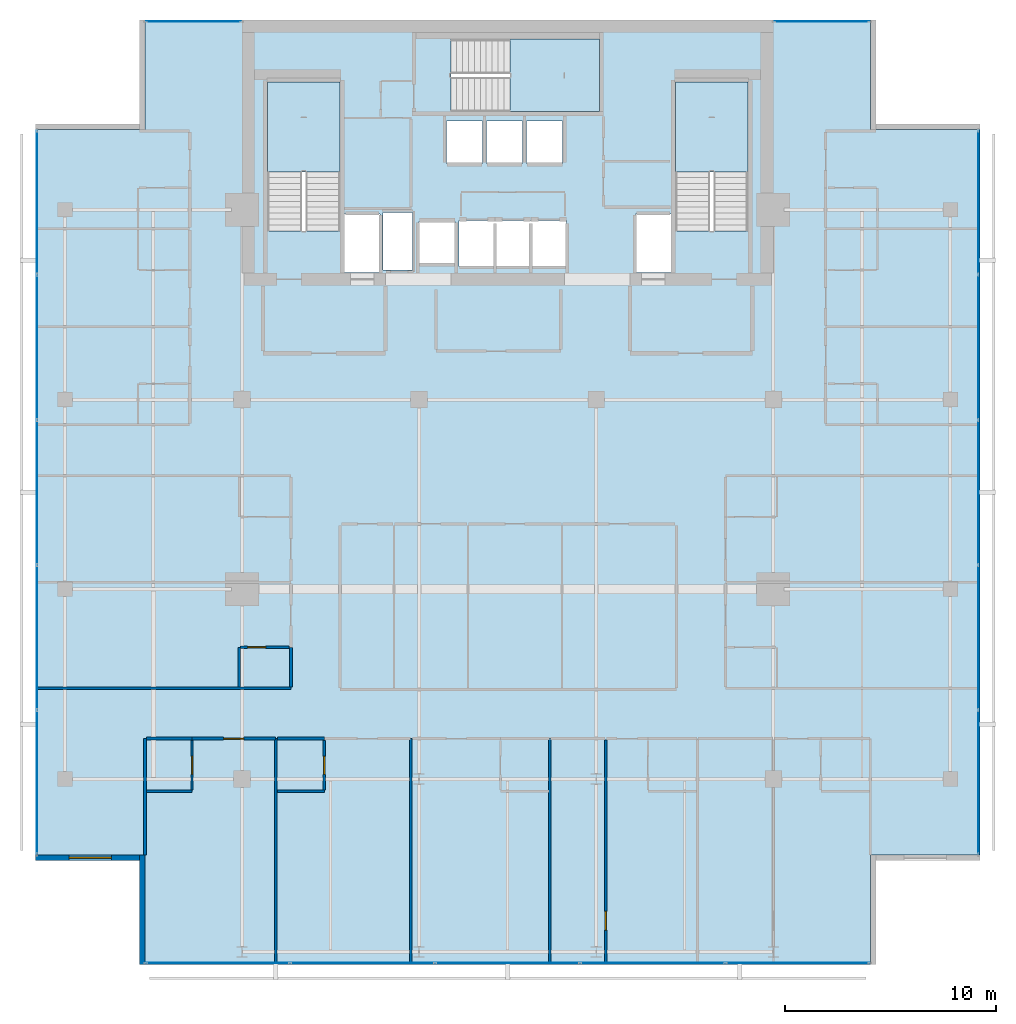
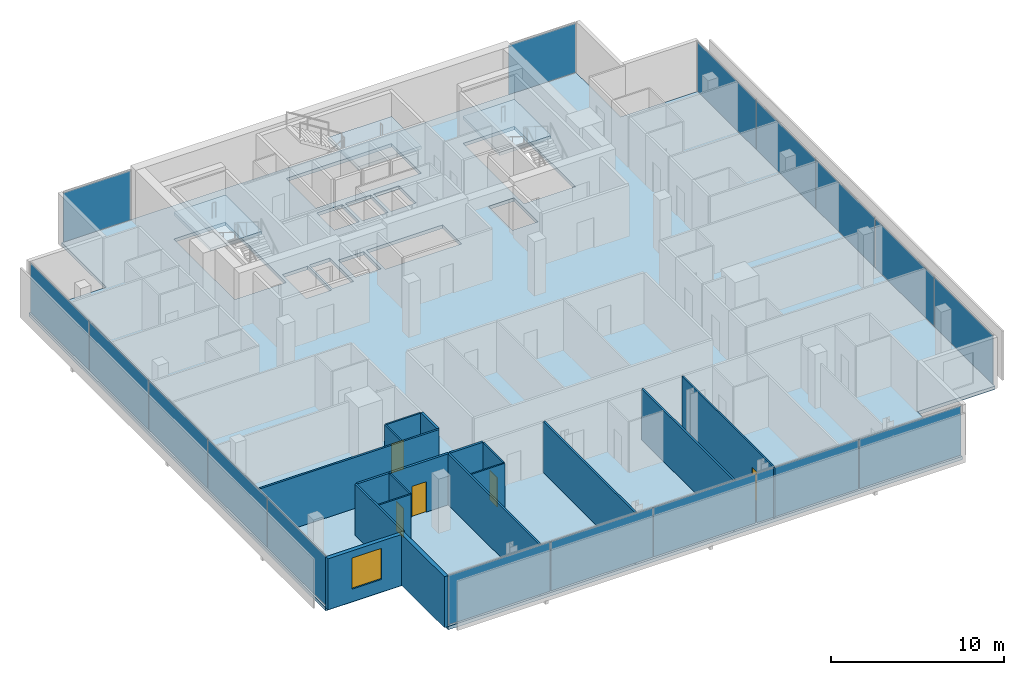
# One storey, part 19 of 26: 18 walls, 17 plates, 5 doors, 4 slabs, 1 window, 6 openings, 8 elements without a shape of their own.
"""IFC4 building model written with IfcOpenShell, lengths in metres."""

import ifcopenshell
import ifcopenshell.guid

model = None  # the IFC model being written
_history = None  # IfcOwnerHistory: only IFC2X3 demands one
_inside = {}  # id of a spatial element -> (the spatial element, [elements in it])
_under = {}  # id of a project, library or spatial element -> (it, [spatial elements below it])
_declared = {}  # id of a project -> (the project, [libraries it declares])
_typed = {}  # id of a type object -> (the type object, [elements of that type])
_made_of = {}  # id of a material, layer set ... -> (it, [elements and type objects made of it])


def new_model(schema):
    """Start an empty IFC model of exactly this schema.

    Asked for "IFC4X3", IfcOpenShell would pick the latest addendum, in which some entities
    have other attributes; the version numbers below select the first issue.
    IFC2X3 requires an IfcOwnerHistory on every rooted entity: one is made here for all.
    """
    global model, _history
    if schema == "IFC4X3":
        model = ifcopenshell.file(schema_version=(4, 3, 0, 0))
    else:
        model = ifcopenshell.file(schema=schema)
    _inside.clear()
    _under.clear()
    _declared.clear()
    _typed.clear()
    _made_of.clear()
    _history = None
    if model.schema == "IFC2X3":
        org = make("IfcOrganization", Name="unknown")
        user = make(
            "IfcPersonAndOrganization",
            ThePerson=make("IfcPerson", FamilyName="unknown"),
            TheOrganization=org,
        )
        app = make(
            "IfcApplication",
            ApplicationDeveloper=org,
            Version="unknown",
            ApplicationFullName="unknown",
            ApplicationIdentifier="unknown",
        )
        _history = make(
            "IfcOwnerHistory",
            OwningUser=user,
            OwningApplication=app,
            ChangeAction="ADDED",
            CreationDate=0,
        )
    return model


def make(cls, **values):
    """One entity of the class cls with the attributes given. An attribute that is None is left unset."""
    return model.create_entity(
        cls, **{name: value for name, value in values.items() if value is not None}
    )


def rooted(cls, **values):
    """An entity with a GlobalId (a new one), such as an element, a storey or a relation."""
    return make(cls, GlobalId=ifcopenshell.guid.new(), OwnerHistory=_history, **values)


def si_unit(unit_type, name, prefix=None):
    """IfcSIUnit, for example si_unit("LENGTHUNIT", "METRE", prefix="MILLI")."""
    return make("IfcSIUnit", UnitType=unit_type, Prefix=prefix, Name=name)


def assignment(units):
    """IfcUnitAssignment: the units of a project."""
    return None if units is None else make("IfcUnitAssignment", Units=units)


def point(xyz):
    """IfcCartesianPoint."""
    return None if xyz is None else make("IfcCartesianPoint", Coordinates=xyz)


def direction(xyz):
    """IfcDirection."""
    return None if xyz is None else make("IfcDirection", DirectionRatios=xyz)


def frame(location, z_axis=None, x_axis=None):
    """IfcAxis2Placement3D, a coordinate frame: its origin and axes. An axis left out is left unset."""
    return make(
        "IfcAxis2Placement3D",
        Location=point(location),
        Axis=direction(z_axis),
        RefDirection=direction(x_axis),
    )


def frame_2d(location, x_axis=None):
    """IfcAxis2Placement2D, a coordinate frame in the plane: its origin and x axis."""
    return make(
        "IfcAxis2Placement2D", Location=point(location), RefDirection=direction(x_axis)
    )


def origin():
    """The frame at (0, 0, 0) with its axes left unset."""
    return frame((0.0, 0.0, 0.0))


def origin_2d():
    """The frame at (0, 0) in the plane with its x axis left unset."""
    return frame_2d((0.0, 0.0))


def place(relative_to, where):
    """IfcLocalPlacement: puts the frame where relative to a parent placement (None: the world)."""
    return make(
        "IfcLocalPlacement", PlacementRelTo=relative_to, RelativePlacement=where
    )


def context(
    kind, dimensions, precision=None, world=None, true_north=None, identifier=None
):
    """IfcGeometricRepresentationContext, for example the 3D "Model" context."""
    return make(
        "IfcGeometricRepresentationContext",
        ContextIdentifier=identifier,
        ContextType=kind,
        CoordinateSpaceDimension=dimensions,
        Precision=precision,
        WorldCoordinateSystem=world,
        TrueNorth=true_north,
    )


def subcontext(parent, identifier, kind, view, scale=None):
    """IfcGeometricRepresentationSubContext, for example "Body" below "Model"."""
    return make(
        "IfcGeometricRepresentationSubContext",
        ContextIdentifier=identifier,
        ContextType=kind,
        ParentContext=parent,
        TargetScale=scale,
        TargetView=view,
    )


def project(units=None, contexts=None):
    """IfcProject with its units and contexts."""
    return rooted(
        "IfcProject",
        Name="project",
        RepresentationContexts=contexts,
        UnitsInContext=assignment(units),
    )


def spatial(cls, under=None, at=None, **own):
    """A site, building, storey or space (cls), placed at a placement, below another one or the project."""
    s = rooted(cls, ObjectPlacement=at, **own)
    if under is not None:
        _under.setdefault(under.id(), (under, []))[1].append(s)
    return s


def polyline(points):
    """IfcPolyline through the points."""
    return make("IfcPolyline", Points=[point(p) for p in points])


def profile(cls, at=None, kind="AREA", **sizes):
    """A parametric profile (cls). Its sizes go by their IFC names, for example OverallWidth=200.0."""
    return make(cls, ProfileType=kind, Position=at, **sizes)


def rectangle(**sizes):
    """IfcRectangleProfileDef."""
    return profile("IfcRectangleProfileDef", **sizes)


def outline(outer, holes=None, kind="AREA"):
    """IfcArbitraryClosedProfileDef: a profile drawn as a closed curve; with holes, ...WithVoids."""
    if holes is None:
        return make("IfcArbitraryClosedProfileDef", ProfileType=kind, OuterCurve=outer)
    return make(
        "IfcArbitraryProfileDefWithVoids",
        ProfileType=kind,
        OuterCurve=outer,
        InnerCurves=holes,
    )


def extrude(swept, where, along, depth):
    """IfcExtrudedAreaSolid: the profile swept, set in the frame where, extruded along a direction by depth."""
    return make(
        "IfcExtrudedAreaSolid",
        SweptArea=swept,
        Position=where,
        ExtrudedDirection=direction(along),
        Depth=depth,
    )


def shape(context_of_items, identifier, shape_type, items):
    """IfcShapeRepresentation: the items that make up one representation, for example the "Body"."""
    return make(
        "IfcShapeRepresentation",
        ContextOfItems=context_of_items,
        RepresentationIdentifier=identifier,
        RepresentationType=shape_type,
        Items=items,
    )


def material(Name=None, Category=None):
    """IfcMaterial."""
    return make("IfcMaterial", Name=Name, Category=Category)


def layer(
    of_material, thickness, ventilated=None, Name=None, Category=None, Priority=None
):
    """IfcMaterialLayer: one layer of a wall or slab, of a material (None: an air gap)."""
    return make(
        "IfcMaterialLayer",
        Material=of_material,
        LayerThickness=thickness,
        IsVentilated=ventilated,
        Name=Name,
        Category=Category,
        Priority=Priority,
    )


def layer_set(layers, Name=None):
    """IfcMaterialLayerSet."""
    return make("IfcMaterialLayerSet", MaterialLayers=layers, LayerSetName=Name)


def made_of(thing, what):
    """Note that an element or type object is made of a material, layer set ...; save() writes the relation."""
    if what is not None:
        _made_of.setdefault(what.id(), (what, []))[1].append(thing)
    return thing


def type_object(cls, material=None, **own):
    """A type object (cls), such as IfcWallType, which elements share."""
    return made_of(rooted(cls, **own), material)


def element(
    cls,
    number,
    at=None,
    inside=None,
    cuts=None,
    type_object=None,
    material=None,
    context=None,
    identifier="Body",
    shape_type=None,
    held_by="IfcProductDefinitionShape",
    body=None,
    shapes=None,
    **own,
):
    """One element of the class cls, such as IfcWall. Its Tag is "e" and its number.

    at: its placement. inside: the storey or other place that contains it. cuts: it is an
    opening in that element (IfcRelVoidsElement). A single representation is given by context,
    identifier, shape_type and body (its items); several are given by shapes. held_by: the class
    of the entity that holds the representations. save() writes the other relations.
    """
    e = rooted(cls, Tag="e%d" % number, ObjectPlacement=at, **own)
    if body is not None:
        shapes = [shape(context, identifier, shape_type, body)]
    if shapes is not None:
        e.Representation = make(held_by, Representations=shapes)
    if inside is not None:
        _inside.setdefault(inside.id(), (inside, []))[1].append(e)
    if cuts is not None:
        rooted(
            "IfcRelVoidsElement", RelatingBuildingElement=cuts, RelatedOpeningElement=e
        )
    if type_object is not None:
        _typed.setdefault(type_object.id(), (type_object, []))[1].append(e)
    return made_of(e, material)


def fill(opening, filler):
    """IfcRelFillsElement: the door or window that sits in an opening."""
    return rooted(
        "IfcRelFillsElement",
        RelatingOpeningElement=opening,
        RelatedBuildingElement=filler,
    )


def aggregate(whole, parts):
    """IfcRelAggregates: a whole, such as a stair, and the parts it consists of."""
    return rooted("IfcRelAggregates", RelatingObject=whole, RelatedObjects=parts)


def save(model, path):
    """Write the relations noted so far, then the file.

    IfcRelAggregates (storeys below a building ...), IfcRelContainedInSpatialStructure (elements
    in a storey), IfcRelDefinesByType, IfcRelAssociatesMaterial and IfcRelDeclares: one each for
    every whole, place, type object, material and project.
    """
    for whole, parts in _under.values():
        aggregate(whole, parts)
    for where, things in _inside.values():
        rooted(
            "IfcRelContainedInSpatialStructure",
            RelatedElements=things,
            RelatingStructure=where,
        )
    for kind, things in _typed.values():
        rooted("IfcRelDefinesByType", RelatedObjects=things, RelatingType=kind)
    for what, things in _made_of.values():
        rooted("IfcRelAssociatesMaterial", RelatedObjects=things, RelatingMaterial=what)
    for by, libraries in _declared.values():
        rooted("IfcRelDeclares", RelatingContext=by, RelatedDefinitions=libraries)
    model.write(path)


model = new_model("IFC4")

# Units and contexts
model_context = context("Model", 3, precision=1e-05, world=origin(), true_north=direction((0.0, 1.0)))
body_context = subcontext(model_context, "Body", "Model", "MODEL_VIEW")
ifc_project = project(units=[si_unit("LENGTHUNIT", "METRE"), si_unit("AREAUNIT", "SQUARE_METRE"), si_unit("VOLUMEUNIT", "CUBIC_METRE"), si_unit("PLANEANGLEUNIT", "RADIAN"), si_unit("MASSUNIT", "GRAM", prefix="KILO")], contexts=[model_context])

# Site, building, storey
site_placement = place(None, origin())
site = spatial("IfcSite", under=ifc_project, at=site_placement, CompositionType="ELEMENT")
building_placement = place(site_placement, origin())
building = spatial("IfcBuilding", under=site, at=building_placement, Name="Maruvema Waterfront Hotel and Observation Tower", CompositionType="ELEMENT")
storey_placement = place(building_placement, frame((0.0, 0.0, 293.300048828125)))
storey = spatial("IfcBuildingStorey", under=building, at=storey_placement, Name="L72", CompositionType="ELEMENT", Elevation=293.300048828125)

# Slab
ifc_material_1 = material(Name="Concrete C50/60", Category="concrete")
ifc_layer_1 = layer(ifc_material_1, 0.239990234375, Name="Reinforced Concrete Floor Slab 240 mm")
ifc_layer_set_1 = layer_set([ifc_layer_1], Name="Concrete C50/60")
slab_type_1 = type_object("IfcSlabType", Name="Reinforced Concrete Floor Slab 240 mm", PredefinedType="FLOOR", material=ifc_layer_set_1)
slab_1_placement = place(storey_placement, frame((0.0, 0.0, -0.239990234375)))
element("IfcSlab", 1, at=slab_1_placement, inside=storey, type_object=slab_type_1, Name="L72 Structural Floor Slab", PredefinedType="FLOOR", context=body_context, shape_type="SweptSolid", body=[
    extrude(outline(polyline([(20.60009765625, 9.199951171875), (55.0, 9.199951171875), (55.0, 14.39990234375), (60.199951171875, 14.39990234375), (60.199951171875, 48.800048828125), (55.0, 48.800048828125), (55.0, 54.0), (20.60009765625, 54.0), (20.60009765625, 48.800048828125), (15.39990234375, 48.800048828125), (15.39990234375, 14.39990234375), (20.60009765625, 14.39990234375), (20.60009765625, 9.199951171875)]), holes=[polyline([(26.39990234375, 44.00048828125), (26.39990234375, 51.050048828125), (29.85009765625, 51.050048828125), (29.85009765625, 44.00048828125), (26.39990234375, 44.00048828125)]), polyline([(30.050048828125, 44.800048828125), (31.75, 44.800048828125), (31.75, 42.02001953125), (30.050048828125, 42.02001953125), (30.050048828125, 44.800048828125)]), polyline([(31.8798828125, 42.139892578125), (31.8798828125, 44.860107421875), (33.280029296875, 44.860107421875), (33.280029296875, 42.139892578125), (31.8798828125, 42.139892578125)]), polyline([(33.60009765625, 44.449951171875), (35.300048828125, 44.449951171875), (35.300048828125, 42.449951171875), (33.60009765625, 42.449951171875), (33.60009765625, 44.449951171875)]), polyline([(34.89990234375, 49.199951171875), (36.60009765625, 49.199951171875), (36.60009765625, 47.199951171875), (34.89990234375, 47.199951171875), (34.89990234375, 49.199951171875)]), polyline([(36.800048828125, 47.199951171875), (36.800048828125, 49.199951171875), (38.5, 49.199951171875), (38.5, 47.199951171875), (36.800048828125, 47.199951171875)]), polyline([(35.5, 42.300048828125), (35.5, 44.5), (40.60009765625, 44.5), (40.60009765625, 42.300048828125), (35.5, 42.300048828125)]), polyline([(35.1005859375, 53.10009765625), (42.14990234375, 53.10009765625), (42.14990234375, 49.64990234375), (35.1005859375, 49.64990234375), (35.1005859375, 53.10009765625)]), polyline([(38.699951171875, 49.199951171875), (40.39990234375, 49.199951171875), (40.39990234375, 47.199951171875), (38.699951171875, 47.199951171875), (38.699951171875, 49.199951171875)]), polyline([(43.85009765625, 44.800048828125), (45.550048828125, 44.800048828125), (45.550048828125, 42.02001953125), (43.85009765625, 42.02001953125), (43.85009765625, 44.800048828125)]), polyline([(45.75, 44.00048828125), (45.75, 51.050048828125), (49.199951171875, 51.050048828125), (49.199951171875, 44.00048828125), (45.75, 44.00048828125)])]), origin(), (0.0, 0.0, 1.0), 0.239990234375),
])

# Curtain wall, plates
ifc_material_2 = material(Name="Anodised bronze aluminium and solar-control low-E IGU", Category="aluminium")
ifc_layer_2 = layer(ifc_material_2, 0.159912109375, Name="Zone 3 Champagne Inner Thermal Curtain Wall System CW-04")
ifc_layer_set_2 = layer_set([ifc_layer_2], Name="Anodised bronze aluminium and solar-control low-E IGU")
curtain_wall_type = type_object("IfcCurtainWallType", Name="Zone 3 Champagne Inner Thermal Curtain Wall System CW-04", PredefinedType="USERDEFINED", material=ifc_layer_set_2)
curtain_wall_1_placement = place(storey_placement, origin())
curtain_wall_1 = element("IfcCurtainWall", 2, at=curtain_wall_1_placement, inside=storey, type_object=curtain_wall_type, Name="L72 Curtain Wall CW-L72-S", ObjectType="UNITISED CURTAIN WALL", PredefinedType="USERDEFINED")
ifc_material_3 = material(Name="Laminated low-E solar-control double glazing", Category="glass")
ifc_layer_3 = layer(ifc_material_3, 0.035888671875, Name="Solar Control Double-Glazed Curtain Panel 36 mm")
ifc_layer_set_3 = layer_set([ifc_layer_3], Name="Laminated low-E solar-control double glazing")
plate_type = type_object("IfcPlateType", Name="Solar Control Double-Glazed Curtain Panel 36 mm", PredefinedType="CURTAIN_PANEL", material=ifc_layer_set_3)
plate_1_placement = place(storey_placement, frame((24.054931640625, 9.280029296875, 0.06005859375), z_axis=(0.0, 0.0, 1.0), x_axis=(1.0, 0.0, 0.0)))
plate_1 = element("IfcPlate", 3, at=plate_1_placement, type_object=plate_type, Name="CW-04 panel 1.1", PredefinedType="CURTAIN_PANEL", context=body_context, shape_type="SweptSolid", body=[
    extrude(rectangle(XDim=6.7900390625, YDim=0.028076171875, at=origin_2d()), origin(), (0.0, 0.0, 1.0), 3.489990234375),
])
plate_2_placement = place(storey_placement, frame((30.919921875, 9.280029296875, 0.06005859375), z_axis=(0.0, 0.0, 1.0), x_axis=(1.0, 0.0, 0.0)))
plate_2 = element("IfcPlate", 4, at=plate_2_placement, type_object=plate_type, Name="CW-04 panel 2.1", PredefinedType="CURTAIN_PANEL", context=body_context, shape_type="SweptSolid", body=[
    extrude(rectangle(XDim=6.820068359375, YDim=0.028076171875, at=origin_2d()), origin(), (0.0, 0.0, 1.0), 3.489990234375),
])
plate_3_placement = place(storey_placement, frame((37.800048828125, 9.280029296875, 0.06005859375), z_axis=(0.0, 0.0, 1.0), x_axis=(1.0, 0.0, 0.0)))
plate_3 = element("IfcPlate", 5, at=plate_3_placement, type_object=plate_type, Name="CW-04 panel 3.1", PredefinedType="CURTAIN_PANEL", context=body_context, shape_type="SweptSolid", body=[
    extrude(rectangle(XDim=6.820068359375, YDim=0.028076171875, at=origin_2d()), origin(), (0.0, 0.0, 1.0), 3.489990234375),
])
plate_4_placement = place(storey_placement, frame((44.679931640625, 9.280029296875, 0.06005859375), z_axis=(0.0, 0.0, 1.0), x_axis=(1.0, 0.0, 0.0)))
plate_4 = element("IfcPlate", 6, at=plate_4_placement, type_object=plate_type, Name="CW-04 panel 4.1", PredefinedType="CURTAIN_PANEL", context=body_context, shape_type="SweptSolid", body=[
    extrude(rectangle(XDim=6.820068359375, YDim=0.028076171875, at=origin_2d()), origin(), (0.0, 0.0, 1.0), 3.489990234375),
])
plate_5_placement = place(storey_placement, frame((51.544921875, 9.280029296875, 0.06005859375), z_axis=(0.0, 0.0, 1.0), x_axis=(1.0, 0.0, 0.0)))
plate_5 = element("IfcPlate", 7, at=plate_5_placement, type_object=plate_type, Name="CW-04 panel 5.1", PredefinedType="CURTAIN_PANEL", context=body_context, shape_type="SweptSolid", body=[
    extrude(rectangle(XDim=6.7900390625, YDim=0.028076171875, at=origin_2d()), origin(), (0.0, 0.0, 1.0), 3.489990234375),
])
aggregate(curtain_wall_1, [plate_1, plate_2, plate_3, plate_4, plate_5])

curtain_wall_2_placement = place(storey_placement, origin())
curtain_wall_2 = element("IfcCurtainWall", 8, at=curtain_wall_2_placement, inside=storey, type_object=curtain_wall_type, Name="L72 Curtain Wall CW-L72-E", ObjectType="UNITISED CURTAIN WALL", PredefinedType="USERDEFINED")
plate_6_placement = place(storey_placement, frame((60.1201171875, 17.85498046875, 0.06005859375), z_axis=(0.0, 0.0, 1.0), x_axis=(0.0, 1.0, 0.0)))
plate_6 = element("IfcPlate", 9, at=plate_6_placement, type_object=plate_type, Name="CW-04 panel 1.1", PredefinedType="CURTAIN_PANEL", context=body_context, shape_type="SweptSolid", body=[
    extrude(rectangle(XDim=6.7900390625, YDim=0.028076171875, at=origin_2d()), origin(), (0.0, 0.0, 1.0), 3.489990234375),
])
plate_7_placement = place(storey_placement, frame((60.1201171875, 24.719970703125, 0.06005859375), z_axis=(0.0, 0.0, 1.0), x_axis=(0.0, 1.0, 0.0)))
plate_7 = element("IfcPlate", 10, at=plate_7_placement, type_object=plate_type, Name="CW-04 panel 2.1", PredefinedType="CURTAIN_PANEL", context=body_context, shape_type="SweptSolid", body=[
    extrude(rectangle(XDim=6.820068359375, YDim=0.028076171875, at=origin_2d()), origin(), (0.0, 0.0, 1.0), 3.489990234375),
])
plate_8_placement = place(storey_placement, frame((60.1201171875, 31.60009765625, 0.06005859375), z_axis=(0.0, 0.0, 1.0), x_axis=(0.0, 1.0, 0.0)))
plate_8 = element("IfcPlate", 11, at=plate_8_placement, type_object=plate_type, Name="CW-04 panel 3.1", PredefinedType="CURTAIN_PANEL", context=body_context, shape_type="SweptSolid", body=[
    extrude(rectangle(XDim=6.820068359375, YDim=0.028076171875, at=origin_2d()), origin(), (0.0, 0.0, 1.0), 3.489990234375),
])
plate_9_placement = place(storey_placement, frame((60.1201171875, 38.47998046875, 0.06005859375), z_axis=(0.0, 0.0, 1.0), x_axis=(0.0, 1.0, 0.0)))
plate_9 = element("IfcPlate", 12, at=plate_9_placement, type_object=plate_type, Name="CW-04 panel 4.1", PredefinedType="CURTAIN_PANEL", context=body_context, shape_type="SweptSolid", body=[
    extrude(rectangle(XDim=6.820068359375, YDim=0.028076171875, at=origin_2d()), origin(), (0.0, 0.0, 1.0), 3.489990234375),
])
plate_10_placement = place(storey_placement, frame((60.1201171875, 45.344970703125, 0.06005859375), z_axis=(0.0, 0.0, 1.0), x_axis=(0.0, 1.0, 0.0)))
plate_10 = element("IfcPlate", 13, at=plate_10_placement, type_object=plate_type, Name="CW-04 panel 5.1", PredefinedType="CURTAIN_PANEL", context=body_context, shape_type="SweptSolid", body=[
    extrude(rectangle(XDim=6.7900390625, YDim=0.028076171875, at=origin_2d()), origin(), (0.0, 0.0, 1.0), 3.489990234375),
])
aggregate(curtain_wall_2, [plate_6, plate_7, plate_8, plate_9, plate_10])

curtain_wall_3_placement = place(storey_placement, origin())
curtain_wall_3 = element("IfcCurtainWall", 14, at=curtain_wall_3_placement, inside=storey, type_object=curtain_wall_type, Name="L72 Curtain Wall CW-L72-W", ObjectType="UNITISED CURTAIN WALL", PredefinedType="USERDEFINED")
plate_11_placement = place(storey_placement, frame((15.47998046875, 45.344970703125, 0.06005859375), z_axis=(0.0, 0.0, 1.0), x_axis=(0.0, -1.0, 0.0)))
plate_11 = element("IfcPlate", 15, at=plate_11_placement, type_object=plate_type, Name="CW-04 panel 1.1", PredefinedType="CURTAIN_PANEL", context=body_context, shape_type="SweptSolid", body=[
    extrude(rectangle(XDim=6.7900390625, YDim=0.028076171875, at=origin_2d()), origin(), (0.0, 0.0, 1.0), 3.489990234375),
])
plate_12_placement = place(storey_placement, frame((15.47998046875, 38.47998046875, 0.06005859375), z_axis=(0.0, 0.0, 1.0), x_axis=(0.0, -1.0, 0.0)))
plate_12 = element("IfcPlate", 16, at=plate_12_placement, type_object=plate_type, Name="CW-04 panel 2.1", PredefinedType="CURTAIN_PANEL", context=body_context, shape_type="SweptSolid", body=[
    extrude(rectangle(XDim=6.820068359375, YDim=0.028076171875, at=origin_2d()), origin(), (0.0, 0.0, 1.0), 3.489990234375),
])
plate_13_placement = place(storey_placement, frame((15.47998046875, 31.60009765625, 0.06005859375), z_axis=(0.0, 0.0, 1.0), x_axis=(0.0, -1.0, 0.0)))
plate_13 = element("IfcPlate", 17, at=plate_13_placement, type_object=plate_type, Name="CW-04 panel 3.1", PredefinedType="CURTAIN_PANEL", context=body_context, shape_type="SweptSolid", body=[
    extrude(rectangle(XDim=6.820068359375, YDim=0.028076171875, at=origin_2d()), origin(), (0.0, 0.0, 1.0), 3.489990234375),
])
plate_14_placement = place(storey_placement, frame((15.47998046875, 24.719970703125, 0.06005859375), z_axis=(0.0, 0.0, 1.0), x_axis=(0.0, -1.0, 0.0)))
plate_14 = element("IfcPlate", 18, at=plate_14_placement, type_object=plate_type, Name="CW-04 panel 4.1", PredefinedType="CURTAIN_PANEL", context=body_context, shape_type="SweptSolid", body=[
    extrude(rectangle(XDim=6.820068359375, YDim=0.028076171875, at=origin_2d()), origin(), (0.0, 0.0, 1.0), 3.489990234375),
])
plate_15_placement = place(storey_placement, frame((15.47998046875, 17.85498046875, 0.06005859375), z_axis=(0.0, 0.0, 1.0), x_axis=(0.0, -1.0, 0.0)))
plate_15 = element("IfcPlate", 19, at=plate_15_placement, type_object=plate_type, Name="CW-04 panel 5.1", PredefinedType="CURTAIN_PANEL", context=body_context, shape_type="SweptSolid", body=[
    extrude(rectangle(XDim=6.7900390625, YDim=0.028076171875, at=origin_2d()), origin(), (0.0, 0.0, 1.0), 3.489990234375),
])
aggregate(curtain_wall_3, [plate_11, plate_12, plate_13, plate_14, plate_15])

# Curtain wall, plate
curtain_wall_4_placement = place(storey_placement, origin())
curtain_wall_4 = element("IfcCurtainWall", 20, at=curtain_wall_4_placement, inside=storey, type_object=curtain_wall_type, Name="L72 Curtain Wall CW-L72-NW", ObjectType="UNITISED CURTAIN WALL", PredefinedType="USERDEFINED")
plate_16_placement = place(storey_placement, frame((22.89990234375, 53.919921875, 0.06005859375), z_axis=(0.0, 0.0, 1.0), x_axis=(-1.0, 0.0, 0.0)))
plate_16 = element("IfcPlate", 21, at=plate_16_placement, type_object=plate_type, Name="CW-04 panel 1.1", PredefinedType="CURTAIN_PANEL", context=body_context, shape_type="SweptSolid", body=[
    extrude(rectangle(XDim=4.47998046875, YDim=0.028076171875, at=origin_2d()), origin(), (0.0, 0.0, 1.0), 3.489990234375),
])
aggregate(curtain_wall_4, [plate_16])

curtain_wall_5_placement = place(storey_placement, origin())
curtain_wall_5 = element("IfcCurtainWall", 22, at=curtain_wall_5_placement, inside=storey, type_object=curtain_wall_type, Name="L72 Curtain Wall CW-L72-NE", ObjectType="UNITISED CURTAIN WALL", PredefinedType="USERDEFINED")
plate_17_placement = place(storey_placement, frame((52.699951171875, 53.919921875, 0.06005859375), z_axis=(0.0, 0.0, 1.0), x_axis=(-1.0, 0.0, 0.0)))
plate_17 = element("IfcPlate", 23, at=plate_17_placement, type_object=plate_type, Name="CW-04 panel 1.1", PredefinedType="CURTAIN_PANEL", context=body_context, shape_type="SweptSolid", body=[
    extrude(rectangle(XDim=4.47998046875, YDim=0.028076171875, at=origin_2d()), origin(), (0.0, 0.0, 1.0), 3.489990234375),
])
aggregate(curtain_wall_5, [plate_17])

# Stair, slab
ifc_material_4 = material(Name="Concrete C50/60", Category="concrete")
stair_type = type_object("IfcStairType", Name="Dogleg Exit Stair 1650 mm (22R x 175.0 mm)", PredefinedType="HALF_TURN_STAIR", material=ifc_material_4)
stair_1_placement = place(storey_placement, origin())
stair_1 = element("IfcStair", 24, at=stair_1_placement, inside=storey, type_object=stair_type, Name="L72 ST-01", PredefinedType="HALF_TURN_STAIR")
ifc_material_5 = material(Name="Concrete C50/60", Category="concrete")
ifc_layer_4 = layer(ifc_material_5, 0.219970703125, Name="Stair Concrete Landing Slab 220 mm")
ifc_layer_set_4 = layer_set([ifc_layer_4], Name="Concrete C50/60")
slab_type_2 = type_object("IfcSlabType", Name="Stair Concrete Landing Slab 220 mm", PredefinedType="LANDING", material=ifc_layer_set_4)
slab_2_placement = place(storey_placement, frame((0.0, 0.0, 1.704833984375)))
slab_2 = element("IfcSlab", 25, at=slab_2_placement, type_object=slab_type_2, Name="ST-01 landing 1", PredefinedType="LANDING", context=body_context, shape_type="SweptSolid", body=[
    extrude(outline(polyline([(29.85009765625, 46.800048828125), (29.85009765625, 51.050048828125), (26.39990234375, 51.050048828125), (26.39990234375, 46.800048828125), (29.85009765625, 46.800048828125)])), origin(), (0.0, 0.0, 1.0), 0.22021484375),
])
aggregate(stair_1, [slab_2])

stair_2_placement = place(storey_placement, origin())
stair_2 = element("IfcStair", 26, at=stair_2_placement, inside=storey, type_object=stair_type, Name="L72 ST-02", PredefinedType="HALF_TURN_STAIR")
slab_3_placement = place(storey_placement, frame((0.0, 0.0, 1.704833984375)))
slab_3 = element("IfcSlab", 27, at=slab_3_placement, type_object=slab_type_2, Name="ST-02 landing 1", PredefinedType="LANDING", context=body_context, shape_type="SweptSolid", body=[
    extrude(outline(polyline([(37.89990234375, 49.64990234375), (42.14990234375, 49.64990234375), (42.14990234375, 53.10009765625), (37.89990234375, 53.10009765625), (37.89990234375, 49.64990234375)])), origin(), (0.0, 0.0, 1.0), 0.22021484375),
])
aggregate(stair_2, [slab_3])

stair_3_placement = place(storey_placement, origin())
stair_3 = element("IfcStair", 28, at=stair_3_placement, inside=storey, type_object=stair_type, Name="L72 ST-03", PredefinedType="HALF_TURN_STAIR")
slab_4_placement = place(storey_placement, frame((0.0, 0.0, 1.704833984375)))
slab_4 = element("IfcSlab", 29, at=slab_4_placement, type_object=slab_type_2, Name="ST-03 landing 1", PredefinedType="LANDING", context=body_context, shape_type="SweptSolid", body=[
    extrude(outline(polyline([(49.199951171875, 46.800048828125), (49.199951171875, 51.050048828125), (45.75, 51.050048828125), (45.75, 46.800048828125), (49.199951171875, 46.800048828125)])), origin(), (0.0, 0.0, 1.0), 0.22021484375),
])
aggregate(stair_3, [slab_4])

# Wall
ifc_material_6 = material(Name="Twin-stud acoustic gypsum drywall", Category="gypsum")
ifc_layer_5 = layer(ifc_material_6, 0.14990234375, Name="Acoustic Corridor and Suite Demising Wall 150 mm")
ifc_layer_set_5 = layer_set([ifc_layer_5], Name="Twin-stud acoustic gypsum drywall")
wall_type_1 = type_object("IfcWallType", Name="Acoustic Corridor and Suite Demising Wall 150 mm", PredefinedType="PARTITIONING", material=ifc_layer_set_5)
wall_1_placement = place(storey_placement, frame((20.679931640625, 19.919921875, 0.0), z_axis=(0.0, 0.0, 1.0), x_axis=(1.0, 0.0, 0.0)))
element("IfcWall", 30, at=wall_1_placement, inside=storey, type_object=wall_type_1, Name="L72 Bath L72-S1 Back Wall 037", PredefinedType="PARTITIONING", context=body_context, shape_type="SweptSolid", body=[
    extrude(rectangle(XDim=2.150146484375, YDim=0.14990234375, at=frame_2d((1.0751953125, 0.0))), origin(), (0.0, 0.0, 1.0), 3.60986328125),
])

# Wall, opening, door
wall_2_placement = place(storey_placement, frame((22.830078125, 19.919921875, 0.0), z_axis=(0.0, 0.0, 1.0), x_axis=(1.0, 0.0, 0.0)))
wall_2 = element("IfcWall", 31, at=wall_2_placement, inside=storey, type_object=wall_type_1, Name="L72 Unit L72-S1 Corridor Wall 040", PredefinedType="PARTITIONING", context=body_context, shape_type="SweptSolid", body=[
    extrude(rectangle(XDim=3.949951171875, YDim=0.14990234375, at=frame_2d((1.97509765625, 0.0))), origin(), (0.0, 0.0, 1.0), 3.60986328125),
])
opening_1_placement = place(wall_2_placement, frame((1.5, 0.0, 0.0)))
opening_1 = element("IfcOpeningElement", 32, at=opening_1_placement, cuts=wall_2, Name="Opening DR-095", PredefinedType="OPENING", context=body_context, shape_type="SweptSolid", body=[
    extrude(rectangle(XDim=0.949951171875, YDim=2.14990234375, at=frame_2d((0.47509765625, 1.074951171875))), frame((0.0, 0.0849609375, 0.0), z_axis=(0.0, -1.0, 0.0), x_axis=(1.0, 0.0, 0.0)), (0.0, 0.0, 1.0), 0.169921875),
])
ifc_material_7 = material(Name="Acoustic solid-core hardwood timber leaf", Category="wood")
door_type_1 = type_object("IfcDoorType", Name="Guestroom Entrance Fire Door 950x2150 mm", OperationType="NOTDEFINED", PredefinedType="DOOR", material=ifc_material_7)
door_1_placement = place(opening_1_placement, frame((0.949951171875, 0.0, 0.0), z_axis=(0.0, 0.0, 1.0), x_axis=(-1.0, 0.0, 0.0)))
door_1 = element("IfcDoor", 33, at=door_1_placement, inside=storey, type_object=door_type_1, Name="L72 Unit L72-S1 Entrance Door", OperationType="SINGLE_SWING_RIGHT", OverallHeight=2.14990234375, OverallWidth=0.949951171875, PredefinedType="DOOR", context=body_context, shape_type="SweptSolid", body=[
    extrude(rectangle(XDim=0.949951171875, YDim=2.14990234375, at=frame_2d((0.47509765625, 1.074951171875))), frame((0.0, 0.02490234375, 0.0), z_axis=(0.0, -1.0, 0.0), x_axis=(1.0, 0.0, 0.0)), (0.0, 0.0, 1.0), 0.050048828125),
])
fill(opening_1, door_1)

# Walls
wall_3_placement = place(storey_placement, frame((26.8798828125, 19.919921875, 0.0), z_axis=(0.0, 0.0, 1.0), x_axis=(1.0, 0.0, 0.0)))
element("IfcWall", 34, at=wall_3_placement, inside=storey, type_object=wall_type_1, Name="L72 Bath L72-S2 Back Wall 042", PredefinedType="PARTITIONING", context=body_context, shape_type="SweptSolid", body=[
    extrude(rectangle(XDim=2.22021484375, YDim=0.14990234375, at=frame_2d((1.110107421875, 0.0))), origin(), (0.0, 0.0, 1.0), 3.60986328125),
])
wall_4_placement = place(storey_placement, frame((27.52001953125, 22.360107421875, 0.0), z_axis=(0.0, 0.0, 1.0), x_axis=(0.0, 1.0, 0.0)))
element("IfcWall", 35, at=wall_4_placement, inside=storey, type_object=wall_type_1, Name="L72 Bath L72-W1 Wall 069", PredefinedType="PARTITIONING", context=body_context, shape_type="SweptSolid", body=[
    extrude(rectangle(XDim=1.889892578125, YDim=0.14990234375, at=frame_2d((0.94482421875, 0.0))), origin(), (0.0, 0.0, 1.0), 3.60986328125),
])
ifc_material_8 = material(Name="Moisture-resistant cement-board drywall", Category="gypsum")
ifc_layer_6 = layer(ifc_material_8, 0.10009765625, Name="En-Suite Moisture-Resistant Partition 100 mm")
ifc_layer_set_6 = layer_set([ifc_layer_6], Name="Moisture-resistant cement-board drywall")
wall_type_2 = type_object("IfcWallType", Name="En-Suite Moisture-Resistant Partition 100 mm", PredefinedType="PARTITIONING", material=ifc_layer_set_6)
wall_5_placement = place(storey_placement, frame((20.679931640625, 17.419921875, 0.0), z_axis=(0.0, 0.0, 1.0), x_axis=(1.0, 0.0, 0.0)))
element("IfcWall", 36, at=wall_5_placement, inside=storey, type_object=wall_type_2, Name="L72 En-Suite L72-S1 South 038", PredefinedType="PARTITIONING", context=body_context, shape_type="SweptSolid", body=[
    extrude(rectangle(XDim=2.150146484375, YDim=0.10009765625, at=frame_2d((1.0751953125, 0.0))), origin(), (0.0, 0.0, 1.0), 3.60986328125),
])

# Wall, opening, door
wall_6_placement = place(storey_placement, frame((22.830078125, 17.47998046875, 0.0), z_axis=(0.0, 0.0, 1.0), x_axis=(0.0, 1.0, 0.0)))
wall_6 = element("IfcWall", 37, at=wall_6_placement, inside=storey, type_object=wall_type_2, Name="L72 En-Suite L72-S1 East 039", PredefinedType="PARTITIONING", context=body_context, shape_type="SweptSolid", body=[
    extrude(rectangle(XDim=2.340087890625, YDim=0.10009765625, at=frame_2d((1.169921875, 0.0))), origin(), (0.0, 0.0, 1.0), 3.60986328125),
])
opening_2_placement = place(wall_6_placement, frame((0.7451171875, 0.0, 0.0)))
opening_2 = element("IfcOpeningElement", 38, at=opening_2_placement, cuts=wall_6, Name="Opening DR-085", PredefinedType="OPENING", context=body_context, shape_type="SweptSolid", body=[
    extrude(rectangle(XDim=0.85009765625, YDim=2.10009765625, at=frame_2d((0.425048828125, 1.050048828125))), frame((0.0, 0.06005859375, 0.0), z_axis=(0.0, -1.0, 0.0), x_axis=(1.0, 0.0, 0.0)), (0.0, 0.0, 1.0), 0.1201171875),
])
ifc_material_9 = material(Name="Moisture-resistant solid timber leaf", Category="wood")
door_type_2 = type_object("IfcDoorType", Name="En-Suite Bathroom Door 850x2100 mm", OperationType="NOTDEFINED", PredefinedType="DOOR", material=ifc_material_9)
door_2_placement = place(opening_2_placement, frame((0.85009765625, 0.0, 0.0), z_axis=(0.0, 0.0, 1.0), x_axis=(-1.0, 0.0, 0.0)))
door_2 = element("IfcDoor", 39, at=door_2_placement, inside=storey, type_object=door_type_2, Name="L72 En-Suite L72-S1 Door", OperationType="SINGLE_SWING_LEFT", OverallHeight=2.10009765625, OverallWidth=0.85009765625, PredefinedType="DOOR", context=body_context, shape_type="SweptSolid", body=[
    extrude(rectangle(XDim=0.85009765625, YDim=2.10009765625, at=frame_2d((0.425048828125, 1.050048828125))), frame((0.0, 0.02490234375, 0.0), z_axis=(0.0, -1.0, 0.0), x_axis=(1.0, 0.0, 0.0)), (0.0, 0.0, 1.0), 0.050048828125),
])
fill(opening_2, door_2)

# Wall
wall_7_placement = place(storey_placement, frame((26.8798828125, 17.419921875, 0.0), z_axis=(0.0, 0.0, 1.0), x_axis=(1.0, 0.0, 0.0)))
element("IfcWall", 40, at=wall_7_placement, inside=storey, type_object=wall_type_2, Name="L72 En-Suite L72-S2 South 043", PredefinedType="PARTITIONING", context=body_context, shape_type="SweptSolid", body=[
    extrude(rectangle(XDim=2.22021484375, YDim=0.10009765625, at=frame_2d((1.110107421875, 0.0))), origin(), (0.0, 0.0, 1.0), 3.60986328125),
])

# Wall, opening, door
wall_8_placement = place(storey_placement, frame((29.10009765625, 17.47998046875, 0.0), z_axis=(0.0, 0.0, 1.0), x_axis=(0.0, 1.0, 0.0)))
wall_8 = element("IfcWall", 41, at=wall_8_placement, inside=storey, type_object=wall_type_2, Name="L72 En-Suite L72-S2 East 044", PredefinedType="PARTITIONING", context=body_context, shape_type="SweptSolid", body=[
    extrude(rectangle(XDim=2.340087890625, YDim=0.10009765625, at=frame_2d((1.169921875, 0.0))), origin(), (0.0, 0.0, 1.0), 3.60986328125),
])
opening_3_placement = place(wall_8_placement, frame((0.7451171875, 0.0, 0.0)))
opening_3 = element("IfcOpeningElement", 42, at=opening_3_placement, cuts=wall_8, Name="Opening DR-085", PredefinedType="OPENING", context=body_context, shape_type="SweptSolid", body=[
    extrude(rectangle(XDim=0.85009765625, YDim=2.10009765625, at=frame_2d((0.425048828125, 1.050048828125))), frame((0.0, 0.06005859375, 0.0), z_axis=(0.0, -1.0, 0.0), x_axis=(1.0, 0.0, 0.0)), (0.0, 0.0, 1.0), 0.1201171875),
])
door_3_placement = place(opening_3_placement, frame((0.85009765625, 0.0, 0.0), z_axis=(0.0, 0.0, 1.0), x_axis=(-1.0, 0.0, 0.0)))
door_3 = element("IfcDoor", 43, at=door_3_placement, inside=storey, type_object=door_type_2, Name="L72 En-Suite L72-S2 Door", OperationType="SINGLE_SWING_LEFT", OverallHeight=2.10009765625, OverallWidth=0.85009765625, PredefinedType="DOOR", context=body_context, shape_type="SweptSolid", body=[
    extrude(rectangle(XDim=0.85009765625, YDim=2.10009765625, at=frame_2d((0.425048828125, 1.050048828125))), frame((0.0, 0.02490234375, 0.0), z_axis=(0.0, -1.0, 0.0), x_axis=(1.0, 0.0, 0.0)), (0.0, 0.0, 1.0), 0.050048828125),
])
fill(opening_3, door_3)

wall_9_placement = place(storey_placement, frame((42.449951171875, 9.22998046875, 0.0), z_axis=(0.0, 0.0, 1.0), x_axis=(0.0, 1.0, 0.0)))
wall_9 = element("IfcWall", 44, at=wall_9_placement, inside=storey, type_object=wall_type_2, Name="L72 Suite L72-S4 Split 057", PredefinedType="PARTITIONING", context=body_context, shape_type="SweptSolid", body=[
    extrude(rectangle(XDim=10.630126953125, YDim=0.10009765625, at=frame_2d((5.31494140625, 0.0))), origin(), (0.0, 0.0, 1.0), 3.60986328125),
])
opening_4_placement = place(wall_9_placement, frame((1.60009765625, 0.0, 0.0)))
opening_4 = element("IfcOpeningElement", 45, at=opening_4_placement, cuts=wall_9, Name="Opening DR-090", PredefinedType="OPENING", context=body_context, shape_type="SweptSolid", body=[
    extrude(rectangle(XDim=0.89990234375, YDim=2.10009765625, at=frame_2d((0.449951171875, 1.050048828125))), frame((0.0, 0.06005859375, 0.0), z_axis=(0.0, -1.0, 0.0), x_axis=(1.0, 0.0, 0.0)), (0.0, 0.0, 1.0), 0.1201171875),
])
ifc_material_10 = material(Name="Solid-core lacquered timber leaf", Category="wood")
door_type_3 = type_object("IfcDoorType", Name="Accessible Toilet and Room Door 900x2100 mm", OperationType="NOTDEFINED", PredefinedType="DOOR", material=ifc_material_10)
door_4_placement = place(opening_4_placement, frame((0.89990234375, 0.0, 0.0), z_axis=(0.0, 0.0, 1.0), x_axis=(-1.0, 0.0, 0.0)))
door_4 = element("IfcDoor", 46, at=door_4_placement, inside=storey, type_object=door_type_3, Name="L72 Suite L72-S4 Bedroom Door", OperationType="SINGLE_SWING_LEFT", OverallHeight=2.10009765625, OverallWidth=0.89990234375, PredefinedType="DOOR", context=body_context, shape_type="SweptSolid", body=[
    extrude(rectangle(XDim=0.89990234375, YDim=2.10009765625, at=frame_2d((0.449951171875, 1.050048828125))), frame((0.0, 0.02490234375, 0.0), z_axis=(0.0, -1.0, 0.0), x_axis=(1.0, 0.0, 0.0)), (0.0, 0.0, 1.0), 0.050048828125),
])
fill(opening_4, door_4)

# Wall
wall_10_placement = place(storey_placement, frame((25.070068359375, 22.360107421875, 0.0), z_axis=(0.0, 0.0, 1.0), x_axis=(0.0, 1.0, 0.0)))
element("IfcWall", 47, at=wall_10_placement, inside=storey, type_object=wall_type_2, Name="L72 En-Suite L72-W1 W 071", PredefinedType="PARTITIONING", context=body_context, shape_type="SweptSolid", body=[
    extrude(rectangle(XDim=1.889892578125, YDim=0.10009765625, at=frame_2d((0.94482421875, 0.0))), origin(), (0.0, 0.0, 1.0), 3.60986328125),
])

# Wall, opening, door
wall_11_placement = place(storey_placement, frame((25.1201171875, 24.25, 0.0), z_axis=(0.0, 0.0, 1.0), x_axis=(1.0, 0.0, 0.0)))
wall_11 = element("IfcWall", 48, at=wall_11_placement, inside=storey, type_object=wall_type_2, Name="L72 En-Suite L72-W1 N 072", PredefinedType="PARTITIONING", context=body_context, shape_type="SweptSolid", body=[
    extrude(rectangle(XDim=2.2998046875, YDim=0.10009765625, at=frame_2d((1.14990234375, 0.0))), origin(), (0.0, 0.0, 1.0), 3.60986328125),
])
opening_5_placement = place(wall_11_placement, frame((0.35009765625, 0.0, 0.0)))
opening_5 = element("IfcOpeningElement", 49, at=opening_5_placement, cuts=wall_11, Name="Opening DR-085", PredefinedType="OPENING", context=body_context, shape_type="SweptSolid", body=[
    extrude(rectangle(XDim=0.85009765625, YDim=2.10009765625, at=frame_2d((0.425048828125, 1.050048828125))), frame((0.0, 0.06005859375, 0.0), z_axis=(0.0, -1.0, 0.0), x_axis=(1.0, 0.0, 0.0)), (0.0, 0.0, 1.0), 0.1201171875),
])
door_5_placement = place(opening_5_placement, origin())
door_5 = element("IfcDoor", 50, at=door_5_placement, inside=storey, type_object=door_type_2, Name="L72 En-Suite L72-W1 Door", OperationType="SINGLE_SWING_LEFT", OverallHeight=2.10009765625, OverallWidth=0.85009765625, PredefinedType="DOOR", context=body_context, shape_type="SweptSolid", body=[
    extrude(rectangle(XDim=0.85009765625, YDim=2.10009765625, at=frame_2d((0.425048828125, 1.050048828125))), frame((0.0, 0.02490234375, 0.0), z_axis=(0.0, -1.0, 0.0), x_axis=(1.0, 0.0, 0.0)), (0.0, 0.0, 1.0), 0.050048828125),
])
fill(opening_5, door_5)

# Wall
ifc_material_11 = material(Name="Precast concrete C45/55 with honed Pernambuco granite facing", Category="masonry")
ifc_layer_7 = layer(ifc_material_11, 0.260009765625, Name="Exterior Granite Clad Spandrel and Pier Wall 260 mm")
ifc_layer_set_7 = layer_set([ifc_layer_7], Name="Precast concrete C45/55 with honed Pernambuco granite facing")
wall_type_3 = type_object("IfcWallType", Name="Exterior Granite Clad Spandrel and Pier Wall 260 mm", PredefinedType="SOLIDWALL", material=ifc_layer_set_7)
wall_12_placement = place(storey_placement, frame((20.469970703125, 9.199951171875, 0.0), z_axis=(0.0, 0.0, 1.0), x_axis=(0.0, 1.0, 0.0)))
element("IfcWall", 51, at=wall_12_placement, inside=storey, type_object=wall_type_3, Name="L72 Corner Notch Granite Pier Wall SW1", PredefinedType="SOLIDWALL", context=body_context, shape_type="SweptSolid", body=[
    extrude(rectangle(XDim=5.199951171875, YDim=0.260009765625, at=frame_2d((2.60009765625, 0.0))), origin(), (0.0, 0.0, 1.0), 3.60986328125),
])

# Wall, opening, window
wall_13_placement = place(storey_placement, frame((20.60009765625, 14.27001953125, 0.0), z_axis=(0.0, 0.0, 1.0), x_axis=(-1.0, 0.0, 0.0)))
wall_13 = element("IfcWall", 52, at=wall_13_placement, inside=storey, type_object=wall_type_3, Name="L72 Corner Notch Granite Pier Wall SW2", PredefinedType="SOLIDWALL", context=body_context, shape_type="SweptSolid", body=[
    extrude(rectangle(XDim=5.2001953125, YDim=0.260009765625, at=frame_2d((2.60009765625, 0.0))), origin(), (0.0, 0.0, 1.0), 3.60986328125),
])
opening_6_placement = place(wall_13_placement, frame((1.60009765625, 0.0, 0.89990234375)))
opening_6 = element("IfcOpeningElement", 53, at=opening_6_placement, cuts=wall_13, Name="Opening WN-03", PredefinedType="OPENING", context=body_context, shape_type="SweptSolid", body=[
    extrude(rectangle(XDim=2.0, YDim=2.199951171875, at=frame_2d((1.0, 1.10009765625))), frame((0.0, 0.14013671875, 0.0), z_axis=(0.0, -1.0, 0.0), x_axis=(1.0, 0.0, 0.0)), (0.0, 0.0, 1.0), 0.280029296875),
])
ifc_material_12 = material(Name="Anodised bronze aluminium frame with laminated low-E glass", Category="aluminium")
window_type = type_object("IfcWindowType", Name="Sky Suite Panoramic Notch Window 2000x2200 mm", PartitioningType="SINGLE_PANEL", PredefinedType="WINDOW", material=ifc_material_12)
window_placement = place(opening_6_placement, origin())
window = element("IfcWindow", 54, at=window_placement, inside=storey, type_object=window_type, Name="L72 Corner Notch Punched Window SW2", OverallHeight=2.199951171875, OverallWidth=2.0, PartitioningType="SINGLE_PANEL", PredefinedType="WINDOW", context=body_context, shape_type="SweptSolid", body=[
    extrude(rectangle(XDim=2.0, YDim=2.199951171875, at=frame_2d((1.0, 1.10009765625))), frame((0.0, 0.030029296875, 0.0), z_axis=(0.0, -1.0, 0.0), x_axis=(1.0, 0.0, 0.0)), (0.0, 0.0, 1.0), 0.06005859375),
])
fill(opening_6, window)

# Walls
ifc_material_13 = material(Name="Acoustic gypsum plasterboard drywall", Category="gypsum")
ifc_layer_8 = layer(ifc_material_13, 0.125, Name="Guestroom Acoustic Demising Wall 125 mm")
ifc_layer_set_8 = layer_set([ifc_layer_8], Name="Acoustic gypsum plasterboard drywall")
wall_type_4 = type_object("IfcWallType", Name="Guestroom Acoustic Demising Wall 125 mm", PredefinedType="PARTITIONING", material=ifc_layer_set_8)
wall_14_placement = place(storey_placement, frame((20.60009765625, 14.39990234375, 0.0), z_axis=(0.0, 0.0, 1.0), x_axis=(0.0, 1.0, 0.0)))
element("IfcWall", 55, at=wall_14_placement, inside=storey, type_object=wall_type_4, Name="L72 Z3 S West End 035", PredefinedType="PARTITIONING", context=body_context, shape_type="SweptSolid", body=[
    extrude(rectangle(XDim=5.52001953125, YDim=0.125, at=frame_2d((2.760009765625, 0.0))), origin(), (0.0, 0.0, 1.0), 3.60986328125),
])
for number, where, z_axis, x_axis, name in (
    (56, (26.800048828125, 9.300048828125, 0.0), (0.0, 0.0, 1.0), (0.0, 1.0, 0.0), "L72 Z3 S Demising 2 041"),
    (57, (33.199951171875, 9.300048828125, 0.0), (0.0, 0.0, 1.0), (0.0, 1.0, 0.0), "L72 Z3 S Demising 3 046"),
    (58, (39.800048828125, 9.300048828125, 0.0), (0.0, 0.0, 1.0), (0.0, 1.0, 0.0), "L72 Z3 S Demising 4 051"),
):
    element("IfcWall", number, at=place(storey_placement, frame(where, z_axis=z_axis, x_axis=x_axis)), inside=storey, type_object=wall_type_4, Name=name, PredefinedType="PARTITIONING", context=body_context, shape_type="SweptSolid", body=[
        extrude(rectangle(XDim=10.619873046875, YDim=0.125, at=frame_2d((5.31005859375, 0.0))), origin(), (0.0, 0.0, 1.0), 3.60986328125),
    ])
wall_15_placement = place(storey_placement, frame((15.5, 22.300048828125, 0.0), z_axis=(0.0, 0.0, 1.0), x_axis=(1.0, 0.0, 0.0)))
element("IfcWall", 59, at=wall_15_placement, inside=storey, type_object=wall_type_4, Name="L72 Z3 W Bot End 065", PredefinedType="PARTITIONING", context=body_context, shape_type="SweptSolid", body=[
    extrude(rectangle(XDim=12.02001953125, YDim=0.125, at=frame_2d((6.010009765625, 0.0))), origin(), (0.0, 0.0, 1.0), 3.60986328125),
])

save(model, "model.ifc")
